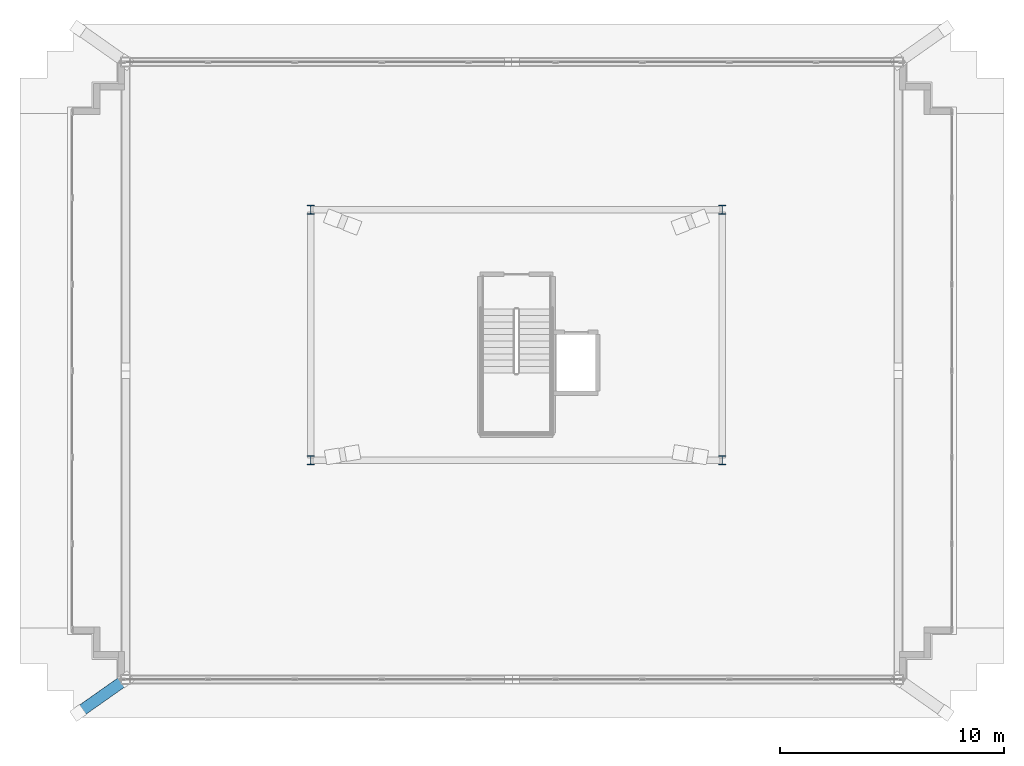
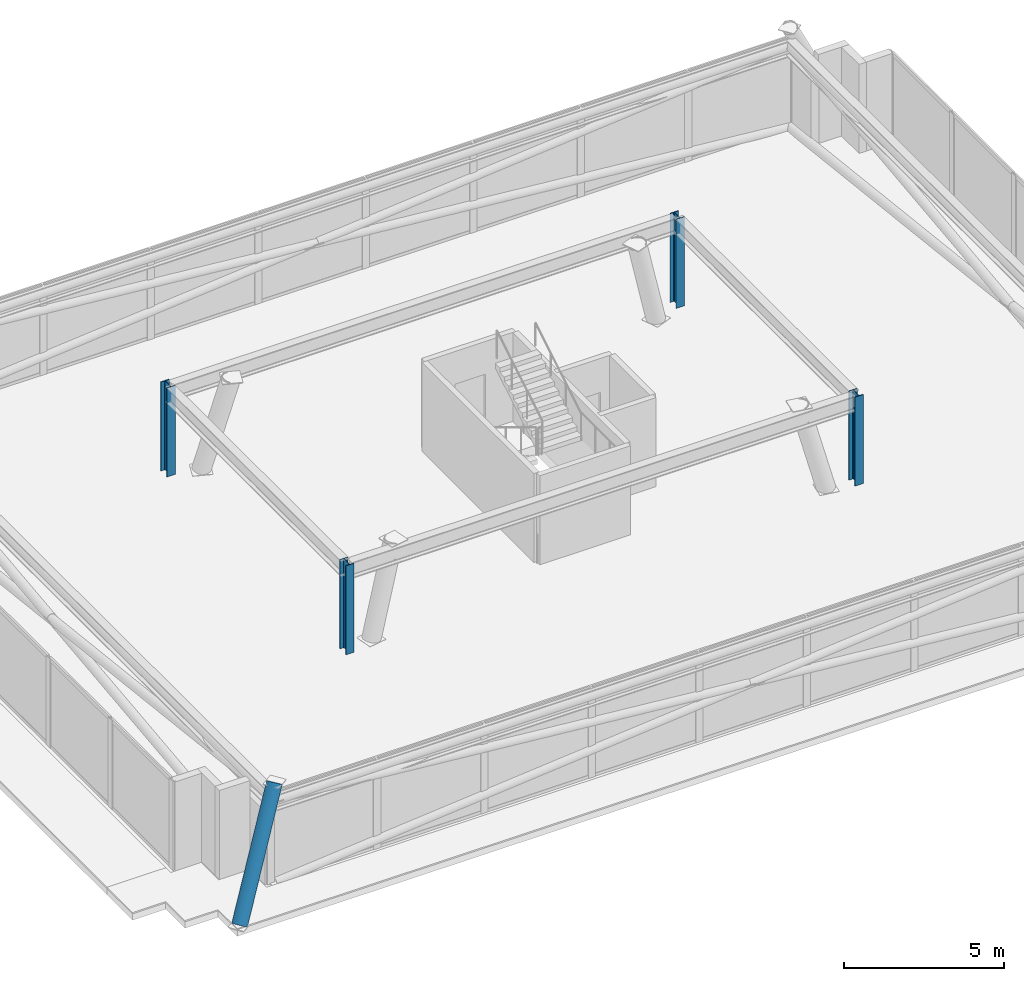
# One storey, part 1 of 22: 4 columns, 1 member.
"""IFC4 building model written with IfcOpenShell, lengths in metres."""

from ifc_helpers import new_model, si_unit, direction, frame, origin, origin_2d, place, context, subcontext, project, spatial, hollow_circle, i_section, extrude, material, material_profile, profile_set, type_object, element, save


model = new_model("IFC4")

# Units and contexts
model_context = context("Model", 3, precision=1e-05, world=origin(), true_north=direction((0.0, 1.0)))
body_context = subcontext(model_context, "Body", "Model", "MODEL_VIEW")
ifc_project = project(units=[si_unit("LENGTHUNIT", "METRE"), si_unit("AREAUNIT", "SQUARE_METRE"), si_unit("VOLUMEUNIT", "CUBIC_METRE"), si_unit("PLANEANGLEUNIT", "RADIAN"), si_unit("MASSUNIT", "GRAM", prefix="KILO")], contexts=[model_context])

# Site, building, storey
site_placement = place(None, origin())
site = spatial("IfcSite", under=ifc_project, at=site_placement, CompositionType="ELEMENT")
building_placement = place(site_placement, origin())
building = spatial("IfcBuilding", under=site, at=building_placement, Name="Qobustan Lattice House", CompositionType="ELEMENT")
storey_placement = place(building_placement, frame((0.0, 0.0, 274.0)))
storey = spatial("IfcBuildingStorey", under=building, at=storey_placement, Name="L77", CompositionType="ELEMENT", Elevation=274.0)

# Columns
ifc_material_1 = material(Name="Steel S355", Category="steel")
ifc_material_profile_1 = material_profile(ifc_material_1, i_section(OverallWidth=0.300048828125, OverallDepth=0.39990234375, WebThickness=0.013427734375, FlangeThickness=0.02392578125, FilletRadius=0.027099609375, at=origin_2d()), Name="HEB400")
ifc_profile_set_1 = profile_set([ifc_material_profile_1], Name="Steel S355")
column_type = type_object("IfcColumnType", Name="COL-ST-HEB400", PredefinedType="COLUMN", material=ifc_profile_set_1)
for number, where, z_axis, x_axis, name in (
    (1, (-9.199951171875, -5.60009765625, 0.0), (0.0, 0.0, 1.0), (1.0, 0.0, 0.0), "L77 crown plumb core column CRN-SW"),
    (2, (9.199951171875, -5.60009765625, 0.0), (0.0, 0.0, 1.0), (1.0, 0.0, 0.0), "L77 crown plumb core column CRN-SE"),
    (3, (9.199951171875, 5.60009765625, 0.0), (0.0, 0.0, 1.0), (1.0, 0.0, 0.0), "L77 crown plumb core column CRN-NE"),
    (4, (-9.199951171875, 5.60009765625, 0.0), (0.0, 0.0, 1.0), (1.0, 0.0, 0.0), "L77 crown plumb core column CRN-NW"),
):
    element("IfcColumn", number, at=place(storey_placement, frame(where, z_axis=z_axis, x_axis=x_axis)), inside=storey, type_object=column_type, Name=name, PredefinedType="COLUMN", context=body_context, shape_type="SweptSolid", body=[
        extrude(i_section(OverallWidth=0.300048828125, OverallDepth=0.39990234375, WebThickness=0.013427734375, FlangeThickness=0.02392578125, FilletRadius=0.027099609375, at=origin_2d()), origin(), (0.0, 0.0, 1.0), 3.39990234375),
    ])

# Member
ifc_material_2 = material(Name="Steel S355", Category="steel")
ifc_material_profile_2 = material_profile(ifc_material_2, hollow_circle(Radius=0.25390625, WallThickness=0.02001953125, at=origin_2d()), Name="CHS508x20")
ifc_profile_set_2 = profile_set([ifc_material_profile_2], Name="Steel S355")
member_type = type_object("IfcMemberType", Name="MEM-STR-CHS508", PredefinedType="STRUT", material=ifc_profile_set_2)
member_placement = place(storey_placement, frame((-19.60009765625, -16.89990234375, 0.0), z_axis=(0.461803046612, 0.325345574223, 0.825159501838), x_axis=(-0.575935002735, 0.817495487832, 0.0)))
element("IfcMember", 5, at=member_placement, inside=storey, type_object=member_type, Name="L77 crown corner raking strut 1", PredefinedType="STRUT", context=body_context, shape_type="SweptSolid", body=[
    extrude(hollow_circle(Radius=0.25390625, WallThickness=0.02001953125, at=origin_2d()), origin(), (0.0, 0.0, 1.0), 4.605224609375),
])

save(model, "model.ifc")
